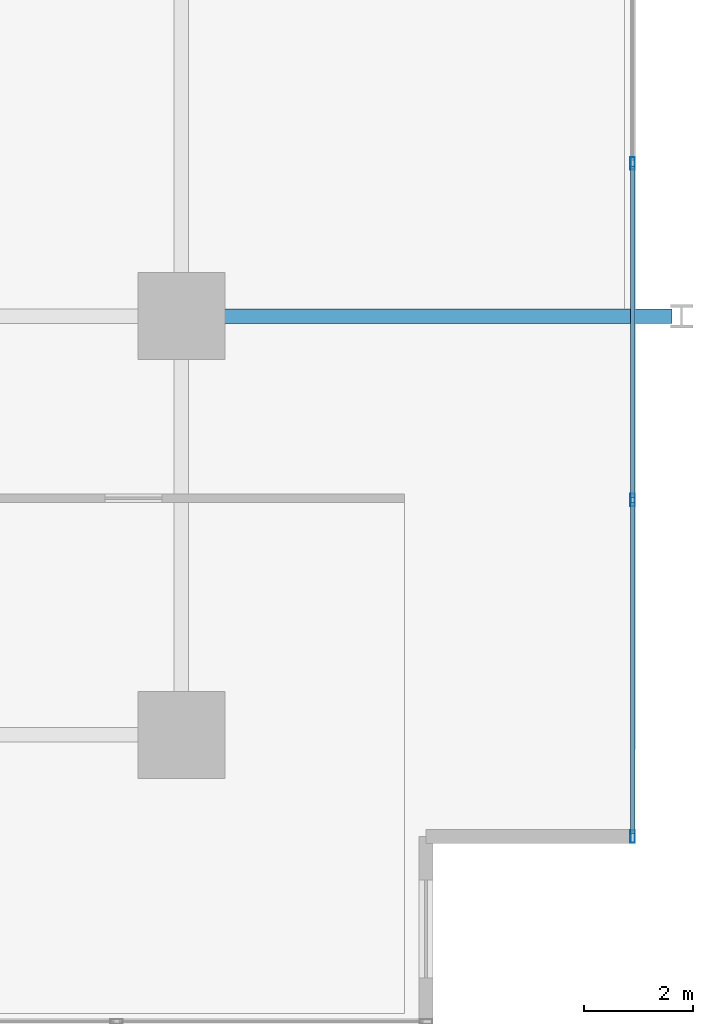
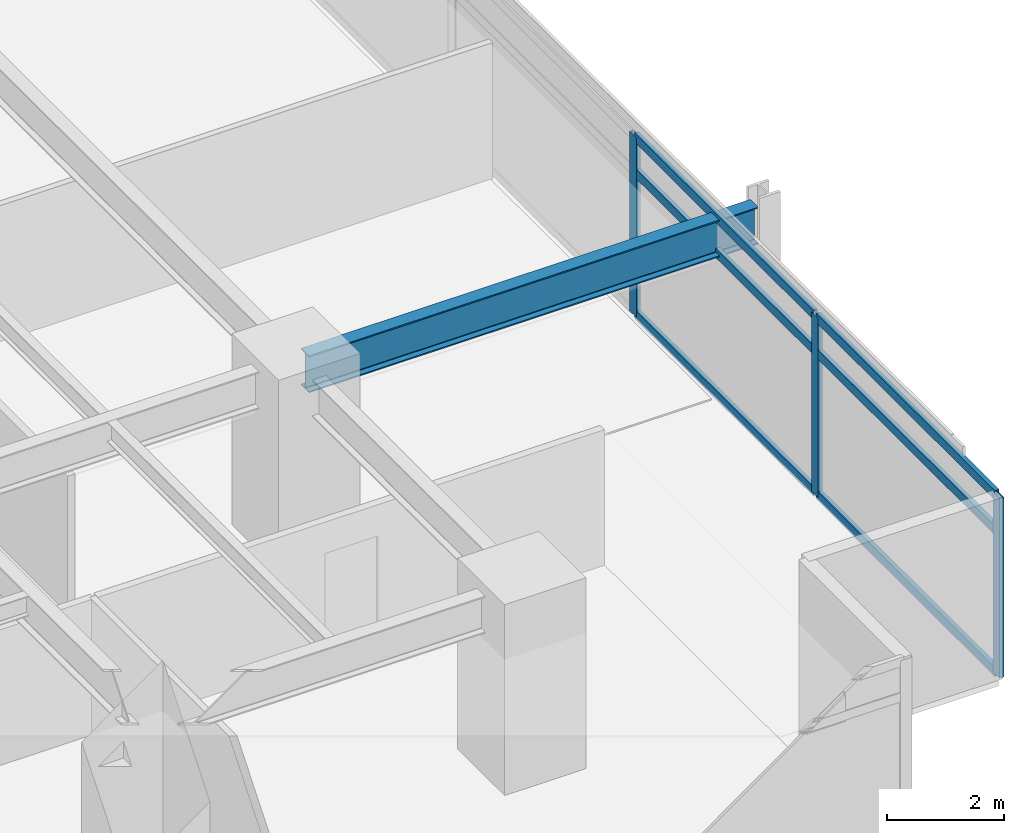
# One storey, part 7 of 20: 9 members, 1 beam, 1 element without a shape of its own.
"""IFC4 building model written with IfcOpenShell, lengths in metres."""

from ifc_helpers import new_model, si_unit, direction, frame, origin, origin_2d, place, context, subcontext, project, spatial, hollow_rectangle, i_section, extrude, material, material_profile, profile_set, type_object, element, aggregate, save


model = new_model("IFC4")

# Units and contexts
model_context = context("Model", 3, precision=1e-05, world=origin(), true_north=direction((0.0, 1.0)))
body_context = subcontext(model_context, "Body", "Model", "MODEL_VIEW")
ifc_project = project(units=[si_unit("LENGTHUNIT", "METRE"), si_unit("AREAUNIT", "SQUARE_METRE"), si_unit("VOLUMEUNIT", "CUBIC_METRE"), si_unit("PLANEANGLEUNIT", "RADIAN"), si_unit("MASSUNIT", "GRAM", prefix="KILO")], contexts=[model_context])

# Site, building, storey
site_placement = place(None, origin())
site = spatial("IfcSite", under=ifc_project, at=site_placement, CompositionType="ELEMENT")
building_placement = place(site_placement, origin())
building = spatial("IfcBuilding", under=site, at=building_placement, Name="Kovane Verandah Tower", CompositionType="ELEMENT")
storey_placement = place(building_placement, frame((0.0, 0.0, 164.39990234375)))
storey = spatial("IfcBuildingStorey", under=building, at=storey_placement, Name="L38", CompositionType="ELEMENT", Elevation=164.39990234375)

# Beam
ifc_material_1 = material(Name="Steel S355", Category="steel")
ifc_material_profile_1 = material_profile(ifc_material_1, i_section(OverallWidth=0.26806640625, OverallDepth=0.769775390625, WebThickness=0.015625, FlangeThickness=0.025390625, FilletRadius=0.0166015625, at=origin_2d()), Name="UB762x267x197")
ifc_profile_set_1 = profile_set([ifc_material_profile_1], Name="Steel S355")
beam_type = type_object("IfcBeamType", Name="BM-UB762x197", PredefinedType="BEAM", material=ifc_profile_set_1)
beam_placement = place(storey_placement, frame((58.580078125, 18.5, 3.375244140625), z_axis=(1.0, 0.0, 0.0), x_axis=(0.0, 1.0, 0.0)))
element("IfcBeam", 1, at=beam_placement, inside=storey, type_object=beam_type, Name="L38 Primary Tower Girder G-VE1", PredefinedType="BEAM", context=body_context, shape_type="SweptSolid", body=[
    extrude(i_section(OverallWidth=0.26806640625, OverallDepth=0.769775390625, WebThickness=0.015625, FlangeThickness=0.025390625, FilletRadius=0.0166015625, at=origin_2d()), origin(), (0.0, 0.0, 1.0), 8.83984375),
])

# Curtain wall, members
ifc_material_2 = material(Name="Champagne Anodised Aluminium Frame with Low-E Clear Laminated Glass", Category="aluminium")
curtain_wall_type = type_object("IfcCurtainWallType", Name="CW-SYS-03-MID", PredefinedType="NOTDEFINED", material=ifc_material_2)
curtain_wall_placement = place(storey_placement, origin())
curtain_wall = element("IfcCurtainWall", 2, at=curtain_wall_placement, inside=storey, type_object=curtain_wall_type, Name="L38 E Unitised Curtain Wall", PredefinedType="NOTDEFINED")
ifc_material_3 = material(Name="Champagne Anodised Aluminium 6063-T6", Category="aluminium")
ifc_material_profile_2 = material_profile(ifc_material_3, hollow_rectangle(XDim=0.0849609375, YDim=0.22998046875, WallThickness=0.00390625, at=origin_2d()), Name="AL85x230x4")
ifc_profile_set_2 = profile_set([ifc_material_profile_2], Name="Champagne Anodised Aluminium 6063-T6")
member_type_1 = type_object("IfcMemberType", Name="CW-MUL-85x230", PredefinedType="MULLION", material=ifc_profile_set_2)
member_1_placement = place(storey_placement, frame((66.697998046875, 8.927001953125, 0.02001953125), z_axis=(0.0, 0.0, 1.0), x_axis=(1.0, 0.0, 0.0)))
member_1 = element("IfcMember", 3, at=member_1_placement, type_object=member_type_1, Name="L38 E Unitised Curtain Wall Mullion 1", PredefinedType="MULLION", context=body_context, shape_type="SweptSolid", body=[
    extrude(hollow_rectangle(XDim=0.0849609375, YDim=0.22998046875, WallThickness=0.00390625, at=origin_2d()), origin(), (0.0, 0.0, 1.0), 3.735107421875),
])
member_2_placement = place(storey_placement, frame((66.697998046875, 15.117919921875, 0.02001953125), z_axis=(0.0, 0.0, 1.0), x_axis=(1.0, 0.0, 0.0)))
member_2 = element("IfcMember", 4, at=member_2_placement, type_object=member_type_1, Name="L38 E Unitised Curtain Wall Mullion 2", PredefinedType="MULLION", context=body_context, shape_type="SweptSolid", body=[
    extrude(hollow_rectangle(XDim=0.0849609375, YDim=0.22998046875, WallThickness=0.00390625, at=origin_2d()), origin(), (0.0, 0.0, 1.0), 3.735107421875),
])
member_3_placement = place(storey_placement, frame((66.697998046875, 21.30908203125, 0.02001953125), z_axis=(0.0, 0.0, 1.0), x_axis=(1.0, 0.0, 0.0)))
member_3 = element("IfcMember", 5, at=member_3_placement, type_object=member_type_1, Name="L38 E Unitised Curtain Wall Mullion 3", PredefinedType="MULLION", context=body_context, shape_type="SweptSolid", body=[
    extrude(hollow_rectangle(XDim=0.0849609375, YDim=0.22998046875, WallThickness=0.00390625, at=origin_2d()), origin(), (0.0, 0.0, 1.0), 3.735107421875),
])
ifc_material_profile_3 = material_profile(ifc_material_3, hollow_rectangle(XDim=0.0849609375, YDim=0.18994140625, WallThickness=0.00390625, at=origin_2d()), Name="AL85x190x4")
ifc_profile_set_3 = profile_set([ifc_material_profile_3], Name="Champagne Anodised Aluminium 6063-T6")
member_type_2 = type_object("IfcMemberType", Name="CW-TRN-85x190", PredefinedType="USERDEFINED", material=ifc_profile_set_3)
member_4_placement = place(storey_placement, frame((66.697998046875, 8.976806640625, 0.050048828125), z_axis=(0.0, 1.0, 0.0), x_axis=(-1.0, 0.0, 0.0)))
member_4 = element("IfcMember", 6, at=member_4_placement, type_object=member_type_2, Name="L38 E Unitised Curtain Wall Transom TB Bay 1", ObjectType="TRANSOM", PredefinedType="USERDEFINED", context=body_context, shape_type="SweptSolid", body=[
    extrude(hollow_rectangle(XDim=0.0849609375, YDim=0.18994140625, WallThickness=0.00390625, at=origin_2d()), origin(), (0.0, 0.0, 1.0), 6.091064453125),
])
member_5_placement = place(storey_placement, frame((66.697998046875, 8.976806640625, 2.9951171875), z_axis=(0.0, 1.0, 0.0), x_axis=(-1.0, 0.0, 0.0)))
member_5 = element("IfcMember", 7, at=member_5_placement, type_object=member_type_2, Name="L38 E Unitised Curtain Wall Transom TM Bay 1", ObjectType="TRANSOM", PredefinedType="USERDEFINED", context=body_context, shape_type="SweptSolid", body=[
    extrude(hollow_rectangle(XDim=0.0849609375, YDim=0.18994140625, WallThickness=0.00390625, at=origin_2d()), origin(), (0.0, 0.0, 1.0), 6.091064453125),
])
member_6_placement = place(storey_placement, frame((66.697998046875, 8.976806640625, 3.72509765625), z_axis=(0.0, 1.0, 0.0), x_axis=(-1.0, 0.0, 0.0)))
member_6 = element("IfcMember", 8, at=member_6_placement, type_object=member_type_2, Name="L38 E Unitised Curtain Wall Transom TT Bay 1", ObjectType="TRANSOM", PredefinedType="USERDEFINED", context=body_context, shape_type="SweptSolid", body=[
    extrude(hollow_rectangle(XDim=0.0849609375, YDim=0.18994140625, WallThickness=0.00390625, at=origin_2d()), origin(), (0.0, 0.0, 1.0), 6.091064453125),
])
member_7_placement = place(storey_placement, frame((66.697998046875, 15.16796875, 0.050048828125), z_axis=(0.0, 1.0, 0.0), x_axis=(-1.0, 0.0, 0.0)))
member_7 = element("IfcMember", 9, at=member_7_placement, type_object=member_type_2, Name="L38 E Unitised Curtain Wall Transom TB Bay 2", ObjectType="TRANSOM", PredefinedType="USERDEFINED", context=body_context, shape_type="SweptSolid", body=[
    extrude(hollow_rectangle(XDim=0.0849609375, YDim=0.18994140625, WallThickness=0.00390625, at=origin_2d()), origin(), (0.0, 0.0, 1.0), 6.091064453125),
])
member_8_placement = place(storey_placement, frame((66.697998046875, 15.16796875, 2.9951171875), z_axis=(0.0, 1.0, 0.0), x_axis=(-1.0, 0.0, 0.0)))
member_8 = element("IfcMember", 10, at=member_8_placement, type_object=member_type_2, Name="L38 E Unitised Curtain Wall Transom TM Bay 2", ObjectType="TRANSOM", PredefinedType="USERDEFINED", context=body_context, shape_type="SweptSolid", body=[
    extrude(hollow_rectangle(XDim=0.0849609375, YDim=0.18994140625, WallThickness=0.00390625, at=origin_2d()), origin(), (0.0, 0.0, 1.0), 6.091064453125),
])
member_9_placement = place(storey_placement, frame((66.697998046875, 15.16796875, 3.72509765625), z_axis=(0.0, 1.0, 0.0), x_axis=(-1.0, 0.0, 0.0)))
member_9 = element("IfcMember", 11, at=member_9_placement, type_object=member_type_2, Name="L38 E Unitised Curtain Wall Transom TT Bay 2", ObjectType="TRANSOM", PredefinedType="USERDEFINED", context=body_context, shape_type="SweptSolid", body=[
    extrude(hollow_rectangle(XDim=0.0849609375, YDim=0.18994140625, WallThickness=0.00390625, at=origin_2d()), origin(), (0.0, 0.0, 1.0), 6.091064453125),
])
aggregate(curtain_wall, [member_1, member_2, member_3, member_4, member_5, member_6, member_7, member_8, member_9])

save(model, "model.ifc")
